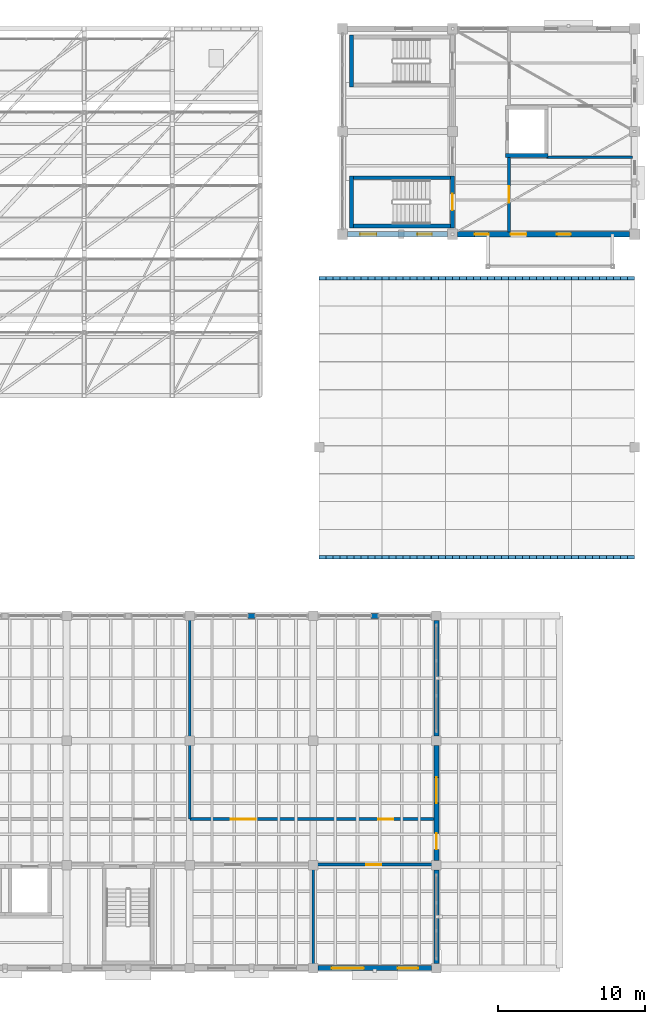
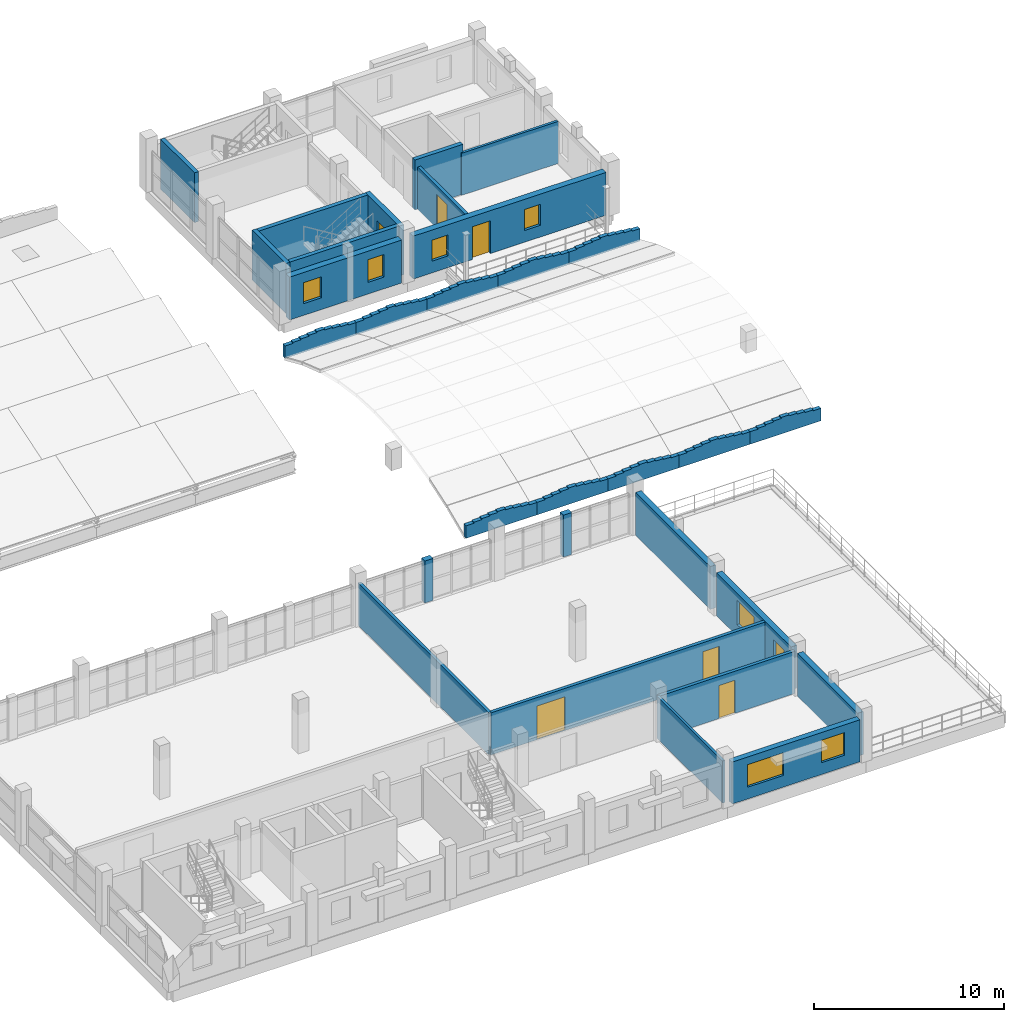
# One storey, part 37 of 48: 30 walls, 7 doors, 7 windows, 14 openings.
"""IFC4 building model written with IfcOpenShell, lengths in metres."""

from ifc_helpers import new_model, si_unit, direction, frame, frame_2d, origin, place, context, subcontext, project, spatial, polyline, rectangle, outline, extrude, material, layer, layer_set, type_object, element, fill, save


model = new_model("IFC4")

# Units and contexts
model_context = context("Model", 3, precision=1e-05, world=origin(), true_north=direction((0.0, 1.0)))
body_context = subcontext(model_context, "Body", "Model", "MODEL_VIEW")
ifc_project = project(units=[si_unit("LENGTHUNIT", "METRE"), si_unit("AREAUNIT", "SQUARE_METRE"), si_unit("VOLUMEUNIT", "CUBIC_METRE"), si_unit("PLANEANGLEUNIT", "RADIAN"), si_unit("MASSUNIT", "GRAM", prefix="KILO")], contexts=[model_context])

# Site, building, storey
site_placement = place(None, origin())
site = spatial("IfcSite", under=ifc_project, at=site_placement, CompositionType="ELEMENT")
building_placement = place(site_placement, origin())
building = spatial("IfcBuilding", under=site, at=building_placement, Name="Trellovar Central Fire Station", CompositionType="ELEMENT")
storey_placement = place(building_placement, frame((0.0, 0.0, 9.300048828125)))
storey = spatial("IfcBuildingStorey", under=building, at=storey_placement, Name="L03", CompositionType="ELEMENT", Elevation=9.300048828125)

# Wall, openings, windows
ifc_material_1 = material(Name="Catalan polychrome brickwork with insulated cavity", Category="masonry")
ifc_layer_1 = layer(ifc_material_1, 0.3798828125)
ifc_layer_set_1 = layer_set([ifc_layer_1], Name="Catalan polychrome brickwork with insulated cavity")
wall_type_1 = type_object("IfcWallType", Name="EW-2", PredefinedType="STANDARD", material=ifc_layer_set_1)
wall_1_placement = place(storey_placement, frame((141.449951171875, 59.0, 0.0), z_axis=(0.0, 0.0, 1.0), x_axis=(1.0, 0.0, 0.0)))
wall_1 = element("IfcWall", 1, at=wall_1_placement, inside=storey, type_object=wall_type_1, Name="V2 L03 south west bay wall", PredefinedType="STANDARD", context=body_context, shape_type="SweptSolid", body=[
    extrude(rectangle(XDim=6.800048828125, YDim=0.3798828125, at=frame_2d((3.39990234375, 0.0))), origin(), (0.0, 0.0, 1.0), 2.75),
])
opening_1_placement = place(wall_1_placement, frame((0.85009765625, 0.0, 0.75)))
opening_1 = element("IfcOpeningElement", 2, at=opening_1_placement, cuts=wall_1, Name="Opening W-17", PredefinedType="OPENING", context=body_context, shape_type="SweptSolid", body=[
    extrude(rectangle(XDim=1.10009765625, YDim=1.35009765625, at=frame_2d((0.550048828125, 0.675048828125))), frame((0.0, 0.199951171875, 0.0), z_axis=(0.0, -1.0, 0.0), x_axis=(1.0, 0.0, 0.0)), (0.0, 0.0, 1.0), 0.39990234375),
])
opening_2_placement = place(wall_1_placement, frame((4.75, 0.0, 0.75)))
opening_2 = element("IfcOpeningElement", 3, at=opening_2_placement, cuts=wall_1, Name="Opening W-20", PredefinedType="OPENING", context=body_context, shape_type="SweptSolid", body=[
    extrude(rectangle(XDim=0.97998046875, YDim=1.449951171875, at=frame_2d((0.489990234375, 0.72509765625))), frame((0.0, 0.199951171875, 0.0), z_axis=(0.0, -1.0, 0.0), x_axis=(1.0, 0.0, 0.0)), (0.0, 0.0, 1.0), 0.39990234375),
])
ifc_material_2 = material(Name="Thermally broken bronze anodized aluminum", Category="aluminium")
window_type_1 = type_object("IfcWindowType", Name="WIN-17", PartitioningType="SINGLE_PANEL", PredefinedType="WINDOW", material=ifc_material_2)
window_1_placement = place(opening_1_placement, origin())
window_1 = element("IfcWindow", 4, at=window_1_placement, inside=storey, type_object=window_type_1, Name="L03 window W-17", OverallHeight=1.35009765625, OverallWidth=1.10009765625, PartitioningType="SINGLE_PANEL", PredefinedType="WINDOW", context=body_context, shape_type="SweptSolid", body=[
    extrude(rectangle(XDim=1.10009765625, YDim=1.35009765625, at=frame_2d((0.550048828125, 0.675048828125))), frame((0.0, 0.030029296875, 0.0), z_axis=(0.0, -1.0, 0.0), x_axis=(1.0, 0.0, 0.0)), (0.0, 0.0, 1.0), 0.06005859375),
])
fill(opening_1, window_1)
ifc_material_3 = material(Name="Thermally broken bronze anodized aluminum", Category="aluminium")
window_type_2 = type_object("IfcWindowType", Name="WIN-20", PartitioningType="SINGLE_PANEL", PredefinedType="WINDOW", material=ifc_material_3)
window_2_placement = place(opening_2_placement, origin())
window_2 = element("IfcWindow", 5, at=window_2_placement, inside=storey, type_object=window_type_2, Name="L03 window W-20", OverallHeight=1.449951171875, OverallWidth=0.97998046875, PartitioningType="SINGLE_PANEL", PredefinedType="WINDOW", context=body_context, shape_type="SweptSolid", body=[
    extrude(rectangle(XDim=0.97998046875, YDim=1.449951171875, at=frame_2d((0.489990234375, 0.72509765625))), frame((0.0, 0.030029296875, 0.0), z_axis=(0.0, -1.0, 0.0), x_axis=(1.0, 0.0, 0.0)), (0.0, 0.0, 1.0), 0.06005859375),
])
fill(opening_2, window_2)

# Wall, openings, door, windows
wall_2_placement = place(storey_placement, frame((148.949951171875, 59.0, 0.0), z_axis=(0.0, 0.0, 1.0), x_axis=(1.0, 0.0, 0.0)))
wall_2 = element("IfcWall", 6, at=wall_2_placement, inside=storey, type_object=wall_type_1, Name="V2 L03 south training deck wall", PredefinedType="STANDARD", context=body_context, shape_type="SweptSolid", body=[
    extrude(rectangle(XDim=11.699951171875, YDim=0.3798828125, at=frame_2d((5.85009765625, 0.0))), origin(), (0.0, 0.0, 1.0), 2.75),
])
opening_3_placement = place(wall_2_placement, frame((3.60009765625, 0.0, 0.0)))
opening_3 = element("IfcOpeningElement", 7, at=opening_3_placement, cuts=wall_2, Name="Opening EX-3", PredefinedType="OPENING", context=body_context, shape_type="SweptSolid", body=[
    extrude(rectangle(XDim=1.080078125, YDim=2.10009765625, at=frame_2d((0.5400390625, 1.050048828125))), frame((0.0, 0.199951171875, 0.0), z_axis=(0.0, -1.0, 0.0), x_axis=(1.0, 0.0, 0.0)), (0.0, 0.0, 1.0), 0.39990234375),
])
opening_4_placement = place(wall_2_placement, frame((1.14990234375, 0.0, 0.75)))
opening_4 = element("IfcOpeningElement", 8, at=opening_4_placement, cuts=wall_2, Name="Opening W-05", PredefinedType="OPENING", context=body_context, shape_type="SweptSolid", body=[
    extrude(rectangle(XDim=0.949951171875, YDim=1.35009765625, at=frame_2d((0.47509765625, 0.675048828125))), frame((0.0, 0.199951171875, 0.0), z_axis=(0.0, -1.0, 0.0), x_axis=(1.0, 0.0, 0.0)), (0.0, 0.0, 1.0), 0.39990234375),
])
opening_5_placement = place(wall_2_placement, frame((6.75, 0.0, 0.75)))
opening_5 = element("IfcOpeningElement", 9, at=opening_5_placement, cuts=wall_2, Name="Opening W-05", PredefinedType="OPENING", context=body_context, shape_type="SweptSolid", body=[
    extrude(rectangle(XDim=0.949951171875, YDim=1.35009765625, at=frame_2d((0.47509765625, 0.675048828125))), frame((0.0, 0.199951171875, 0.0), z_axis=(0.0, -1.0, 0.0), x_axis=(1.0, 0.0, 0.0)), (0.0, 0.0, 1.0), 0.39990234375),
])
ifc_material_4 = material(Name="Thermally broken bronze anodized aluminum", Category="aluminium")
door_type_1 = type_object("IfcDoorType", Name="DR-EXT3", OperationType="SINGLE_SWING_LEFT", PredefinedType="DOOR", material=ifc_material_4)
door_1_placement = place(opening_3_placement, frame((1.080078125, 0.0, 0.0), z_axis=(0.0, 0.0, 1.0), x_axis=(-1.0, 0.0, 0.0)))
door_1 = element("IfcDoor", 10, at=door_1_placement, inside=storey, type_object=door_type_1, Name="V2 L03 rappel training balcony door", OperationType="SINGLE_SWING_LEFT", OverallHeight=2.10009765625, OverallWidth=1.080078125, PredefinedType="DOOR", context=body_context, shape_type="SweptSolid", body=[
    extrude(rectangle(XDim=1.080078125, YDim=2.10009765625, at=frame_2d((0.5400390625, 1.050048828125))), frame((0.0, 0.02490234375, 0.0), z_axis=(0.0, -1.0, 0.0), x_axis=(1.0, 0.0, 0.0)), (0.0, 0.0, 1.0), 0.050048828125),
])
fill(opening_3, door_1)
ifc_material_5 = material(Name="Thermally broken bronze anodized aluminum", Category="aluminium")
window_type_3 = type_object("IfcWindowType", Name="WIN-05", PartitioningType="SINGLE_PANEL", PredefinedType="WINDOW", material=ifc_material_5)
window_3_placement = place(opening_4_placement, origin())
window_3 = element("IfcWindow", 11, at=window_3_placement, inside=storey, type_object=window_type_3, Name="V2 L03 bailout training window W", OverallHeight=1.35009765625, OverallWidth=0.949951171875, PartitioningType="SINGLE_PANEL", PredefinedType="WINDOW", context=body_context, shape_type="SweptSolid", body=[
    extrude(rectangle(XDim=0.949951171875, YDim=1.35009765625, at=frame_2d((0.47509765625, 0.675048828125))), frame((0.0, 0.030029296875, 0.0), z_axis=(0.0, -1.0, 0.0), x_axis=(1.0, 0.0, 0.0)), (0.0, 0.0, 1.0), 0.06005859375),
])
fill(opening_4, window_3)
window_4_placement = place(opening_5_placement, origin())
window_4 = element("IfcWindow", 12, at=window_4_placement, inside=storey, type_object=window_type_3, Name="V2 L03 bailout training window E", OverallHeight=1.35009765625, OverallWidth=0.949951171875, PartitioningType="SINGLE_PANEL", PredefinedType="WINDOW", context=body_context, shape_type="SweptSolid", body=[
    extrude(rectangle(XDim=0.949951171875, YDim=1.35009765625, at=frame_2d((0.47509765625, 0.675048828125))), frame((0.0, 0.030029296875, 0.0), z_axis=(0.0, -1.0, 0.0), x_axis=(1.0, 0.0, 0.0)), (0.0, 0.0, 1.0), 0.06005859375),
])
fill(opening_5, window_4)

# Wall, openings, windows
ifc_material_6 = material(Name="Textured desert sandstone masonry", Category="masonry")
ifc_layer_2 = layer(ifc_material_6, 0.340087890625)
ifc_layer_set_2 = layer_set([ifc_layer_2], Name="Textured desert sandstone masonry")
wall_type_2 = type_object("IfcWallType", Name="EW-3", PredefinedType="STANDARD", material=ifc_layer_set_2)
wall_3_placement = place(storey_placement, frame((139.425048828125, 9.0, 0.0), z_axis=(0.0, 0.0, 1.0), x_axis=(1.0, 0.0, 0.0)))
wall_3 = element("IfcWall", 13, at=wall_3_placement, inside=storey, type_object=wall_type_2, Name="V5 L03 south wall 5", PredefinedType="STANDARD", context=body_context, shape_type="SweptSolid", body=[
    extrude(rectangle(XDim=7.75, YDim=0.340087890625, at=frame_2d((3.875, 0.0))), origin(), (0.0, 0.0, 1.0), 2.68994140625),
])
opening_6_placement = place(wall_3_placement, frame((0.925048828125, 0.0, 0.75)))
opening_6 = element("IfcOpeningElement", 14, at=opening_6_placement, cuts=wall_3, Name="Opening W-06", PredefinedType="OPENING", context=body_context, shape_type="SweptSolid", body=[
    extrude(rectangle(XDim=2.199951171875, YDim=1.449951171875, at=frame_2d((1.10009765625, 0.72509765625))), frame((0.0, 0.179931640625, 0.0), z_axis=(0.0, -1.0, 0.0), x_axis=(1.0, 0.0, 0.0)), (0.0, 0.0, 1.0), 0.360107421875),
])
opening_7_placement = place(wall_3_placement, frame((5.425048828125, 0.0, 0.75)))
opening_7 = element("IfcOpeningElement", 15, at=opening_7_placement, cuts=wall_3, Name="Opening W-22", PredefinedType="OPENING", context=body_context, shape_type="SweptSolid", body=[
    extrude(rectangle(XDim=1.39990234375, YDim=1.449951171875, at=frame_2d((0.699951171875, 0.72509765625))), frame((0.0, 0.179931640625, 0.0), z_axis=(0.0, -1.0, 0.0), x_axis=(1.0, 0.0, 0.0)), (0.0, 0.0, 1.0), 0.360107421875),
])
ifc_material_7 = material(Name="Thermally broken bronze anodized aluminum", Category="aluminium")
window_type_4 = type_object("IfcWindowType", Name="WIN-06", PartitioningType="TRIPLE_PANEL_VERTICAL", PredefinedType="WINDOW", material=ifc_material_7)
window_5_placement = place(opening_6_placement, origin())
window_5 = element("IfcWindow", 16, at=window_5_placement, inside=storey, type_object=window_type_4, Name="L03 window W-06", OverallHeight=1.449951171875, OverallWidth=2.199951171875, PartitioningType="TRIPLE_PANEL_VERTICAL", PredefinedType="WINDOW", context=body_context, shape_type="SweptSolid", body=[
    extrude(rectangle(XDim=2.199951171875, YDim=1.449951171875, at=frame_2d((1.10009765625, 0.72509765625))), frame((0.0, 0.030029296875, 0.0), z_axis=(0.0, -1.0, 0.0), x_axis=(1.0, 0.0, 0.0)), (0.0, 0.0, 1.0), 0.06005859375),
])
fill(opening_6, window_5)
ifc_material_8 = material(Name="Thermally broken bronze anodized aluminum", Category="aluminium")
window_type_5 = type_object("IfcWindowType", Name="WIN-22", PartitioningType="DOUBLE_PANEL_VERTICAL", PredefinedType="WINDOW", material=ifc_material_8)
window_6_placement = place(opening_7_placement, origin())
window_6 = element("IfcWindow", 17, at=window_6_placement, inside=storey, type_object=window_type_5, Name="L03 window W-22", OverallHeight=1.449951171875, OverallWidth=1.39990234375, PartitioningType="DOUBLE_PANEL_VERTICAL", PredefinedType="WINDOW", context=body_context, shape_type="SweptSolid", body=[
    extrude(rectangle(XDim=1.39990234375, YDim=1.449951171875, at=frame_2d((0.699951171875, 0.72509765625))), frame((0.0, 0.030029296875, 0.0), z_axis=(0.0, -1.0, 0.0), x_axis=(1.0, 0.0, 0.0)), (0.0, 0.0, 1.0), 0.06005859375),
])
fill(opening_7, window_6)

# Walls
for number, where, z_axis, x_axis, name in (
    (18, (135.14990234375, 33.0, 0.0), (0.0, 0.0, 1.0), (-1.0, 0.0, 0.0), "V5 L03 north mullion pier"),
    (19, (143.550048828125, 33.0, 0.0), (0.0, 0.0, 1.0), (-1.0, 0.0, 0.0), "V5 L03 north mullion pier"),
):
    element("IfcWall", number, at=place(storey_placement, frame(where, z_axis=z_axis, x_axis=x_axis)), inside=storey, type_object=wall_type_2, Name=name, PredefinedType="STANDARD", context=body_context, shape_type="SweptSolid", body=[
        extrude(rectangle(XDim=0.5, YDim=0.340087890625, at=frame_2d((0.25, 0.0))), origin(), (0.0, 0.0, 1.0), 2.68994140625),
    ])
wall_4_placement = place(storey_placement, frame((147.5, 9.324951171875, 0.0), z_axis=(0.0, 0.0, 1.0), x_axis=(0.0, 1.0, 0.0)))
element("IfcWall", 20, at=wall_4_placement, inside=storey, type_object=wall_type_2, Name="V5 L03 east stepback wall", PredefinedType="STANDARD", context=body_context, shape_type="SweptSolid", body=[
    extrude(rectangle(XDim=6.35009765625, YDim=0.340087890625, at=frame_2d((3.175048828125, 0.0))), origin(), (0.0, 0.0, 1.0), 2.75),
])

# Wall, openings, door, window
wall_5_placement = place(storey_placement, frame((147.5, 16.324951171875, 0.0), z_axis=(0.0, 0.0, 1.0), x_axis=(0.0, 1.0, 0.0)))
wall_5 = element("IfcWall", 21, at=wall_5_placement, inside=storey, type_object=wall_type_2, Name="V5 L03 east stepback wall", PredefinedType="STANDARD", context=body_context, shape_type="SweptSolid", body=[
    extrude(rectangle(XDim=7.85009765625, YDim=0.340087890625, at=frame_2d((3.925048828125, 0.0))), origin(), (0.0, 0.0, 1.0), 2.75),
])
opening_8_placement = place(wall_5_placement, frame((0.77490234375, 0.0, 0.0)))
opening_8 = element("IfcOpeningElement", 22, at=opening_8_placement, cuts=wall_5, Name="Opening EX-3", PredefinedType="OPENING", context=body_context, shape_type="SweptSolid", body=[
    extrude(rectangle(XDim=1.080078125, YDim=2.10009765625, at=frame_2d((0.5400390625, 1.050048828125))), frame((0.0, 0.179931640625, 0.0), z_axis=(0.0, -1.0, 0.0), x_axis=(1.0, 0.0, 0.0)), (0.0, 0.0, 1.0), 0.360107421875),
])
opening_9_placement = place(wall_5_placement, frame((3.925048828125, 0.0, 0.75)))
opening_9 = element("IfcOpeningElement", 23, at=opening_9_placement, cuts=wall_5, Name="Opening W-03", PredefinedType="OPENING", context=body_context, shape_type="SweptSolid", body=[
    extrude(rectangle(XDim=1.75, YDim=1.550048828125, at=frame_2d((0.875, 0.77490234375))), frame((0.0, 0.179931640625, 0.0), z_axis=(0.0, -1.0, 0.0), x_axis=(1.0, 0.0, 0.0)), (0.0, 0.0, 1.0), 0.360107421875),
])
door_2_placement = place(opening_8_placement, frame((1.080078125, 0.0, 0.0), z_axis=(0.0, 0.0, 1.0), x_axis=(-1.0, 0.0, 0.0)))
door_2 = element("IfcDoor", 24, at=door_2_placement, inside=storey, type_object=door_type_1, Name="V5 L03 east roof terrace access door", OperationType="SINGLE_SWING_LEFT", OverallHeight=2.10009765625, OverallWidth=1.080078125, PredefinedType="DOOR", context=body_context, shape_type="SweptSolid", body=[
    extrude(rectangle(XDim=1.080078125, YDim=2.10009765625, at=frame_2d((0.5400390625, 1.050048828125))), frame((0.0, 0.02490234375, 0.0), z_axis=(0.0, -1.0, 0.0), x_axis=(1.0, 0.0, 0.0)), (0.0, 0.0, 1.0), 0.050048828125),
])
fill(opening_8, door_2)
ifc_material_9 = material(Name="Thermally broken bronze anodized aluminum", Category="aluminium")
window_type_6 = type_object("IfcWindowType", Name="WIN-03", PartitioningType="DOUBLE_PANEL_VERTICAL", PredefinedType="WINDOW", material=ifc_material_9)
window_7_placement = place(opening_9_placement, origin())
window_7 = element("IfcWindow", 25, at=window_7_placement, inside=storey, type_object=window_type_6, Name="L03 window W-03", OverallHeight=1.550048828125, OverallWidth=1.75, PartitioningType="DOUBLE_PANEL_VERTICAL", PredefinedType="WINDOW", context=body_context, shape_type="SweptSolid", body=[
    extrude(rectangle(XDim=1.75, YDim=1.550048828125, at=frame_2d((0.875, 0.77490234375))), frame((0.0, 0.030029296875, 0.0), z_axis=(0.0, -1.0, 0.0), x_axis=(1.0, 0.0, 0.0)), (0.0, 0.0, 1.0), 0.06005859375),
])
fill(opening_9, window_7)

# Walls
wall_6_placement = place(storey_placement, frame((147.5, 24.824951171875, 0.0), z_axis=(0.0, 0.0, 1.0), x_axis=(0.0, 1.0, 0.0)))
element("IfcWall", 26, at=wall_6_placement, inside=storey, type_object=wall_type_2, Name="V5 L03 east stepback wall", PredefinedType="STANDARD", context=body_context, shape_type="SweptSolid", body=[
    extrude(rectangle(XDim=7.85009765625, YDim=0.340087890625, at=frame_2d((3.925048828125, 0.0))), origin(), (0.0, 0.0, 1.0), 2.75),
])
ifc_material_10 = material(Name="Glazed ceramic trencadis and terracotta panel", Category="masonry")
ifc_layer_3 = layer(ifc_material_10, 0.239990234375)
ifc_layer_set_3 = layer_set([ifc_layer_3], Name="Glazed ceramic trencadis and terracotta panel")
wall_type_3 = type_object("IfcWallType", Name="PAR-2", PredefinedType="PARAPET", material=ifc_layer_set_3)
for number, where, z_axis, x_axis, name in (
    (27, (139.5, 37.0, 0.0), (0.0, 0.0, 1.0), (1.0, 0.0, 0.0), "L03 Catalan stepped parapet"),
    (28, (139.5, 56.0, 0.0), (0.0, 0.0, 1.0), (1.0, 0.0, 0.0), "L03 Catalan stepped parapet"),
    (29, (143.800048828125, 37.0, 0.0), (0.0, 0.0, 1.0), (1.0, 0.0, 0.0), "L03 Catalan stepped parapet"),
    (30, (143.800048828125, 56.0, 0.0), (0.0, 0.0, 1.0), (1.0, 0.0, 0.0), "L03 Catalan stepped parapet"),
):
    element("IfcWall", number, at=place(storey_placement, frame(where, z_axis=z_axis, x_axis=x_axis)), inside=storey, type_object=wall_type_3, Name=name, PredefinedType="PARAPET", context=body_context, shape_type="SweptSolid", body=[
        extrude(outline(polyline([(0.0, 0.0), (4.300048828125, 0.0), (4.300048828125, 0.800048828125), (3.8232421875, 0.800048828125), (3.822265625, 0.862548828125), (3.345458984375, 0.862548828125), (3.344482421875, 0.925048828125), (2.86767578125, 0.925048828125), (2.86669921875, 0.987548828125), (2.389892578125, 0.987548828125), (2.388916015625, 1.050048828125), (1.912109375, 1.050048828125), (1.9111328125, 0.987548828125), (1.434326171875, 0.987548828125), (1.433349609375, 0.925048828125), (0.95654296875, 0.925048828125), (0.95556640625, 0.862548828125), (0.478759765625, 0.862548828125), (0.477783203125, 0.800048828125), (0.0, 0.800048828125), (0.0, 0.0)])), frame((0.0, 0.1201171875, 0.0), z_axis=(0.0, -1.0, 0.0), x_axis=(1.0, 0.0, 0.0)), (0.0, 0.0, 1.0), 0.239990234375),
    ])
for number, where, z_axis, x_axis, name in (
    (31, (148.10009765625, 37.0, 0.0), (0.0, 0.0, 1.0), (1.0, 0.0, 0.0), "L03 Catalan stepped parapet"),
    (32, (148.10009765625, 56.0, 0.0), (0.0, 0.0, 1.0), (1.0, 0.0, 0.0), "L03 Catalan stepped parapet"),
):
    element("IfcWall", number, at=place(storey_placement, frame(where, z_axis=z_axis, x_axis=x_axis)), inside=storey, type_object=wall_type_3, Name=name, PredefinedType="PARAPET", context=body_context, shape_type="SweptSolid", body=[
        extrude(outline(polyline([(0.0, 0.0), (4.2998046875, 0.0), (4.300048828125, 0.800048828125), (3.8232421875, 0.800048828125), (3.822265625, 0.862548828125), (3.345458984375, 0.862548828125), (3.344482421875, 0.925048828125), (2.86767578125, 0.925048828125), (2.86669921875, 0.987548828125), (2.389892578125, 0.987548828125), (2.388916015625, 1.050048828125), (1.912109375, 1.050048828125), (1.9111328125, 0.987548828125), (1.434326171875, 0.987548828125), (1.433349609375, 0.925048828125), (0.95654296875, 0.925048828125), (0.95556640625, 0.862548828125), (0.478759765625, 0.862548828125), (0.477783203125, 0.800048828125), (0.0, 0.800048828125), (0.0, 0.0)])), frame((0.0, 0.1201171875, 0.0), z_axis=(0.0, -1.0, 0.0), x_axis=(1.0, 0.0, 0.0)), (0.0, 0.0, 1.0), 0.239990234375),
    ])
for number, where, z_axis, x_axis, name in (
    (33, (152.39990234375, 37.0, 0.0), (0.0, 0.0, 1.0), (1.0, 0.0, 0.0), "L03 Catalan stepped parapet"),
    (34, (152.39990234375, 56.0, 0.0), (0.0, 0.0, 1.0), (1.0, 0.0, 0.0), "L03 Catalan stepped parapet"),
    (35, (156.699951171875, 37.0, 0.0), (0.0, 0.0, 1.0), (1.0, 0.0, 0.0), "L03 Catalan stepped parapet"),
    (36, (156.699951171875, 56.0, 0.0), (0.0, 0.0, 1.0), (1.0, 0.0, 0.0), "L03 Catalan stepped parapet"),
):
    element("IfcWall", number, at=place(storey_placement, frame(where, z_axis=z_axis, x_axis=x_axis)), inside=storey, type_object=wall_type_3, Name=name, PredefinedType="PARAPET", context=body_context, shape_type="SweptSolid", body=[
        extrude(outline(polyline([(0.0, 0.0), (4.300048828125, 0.0), (4.300048828125, 0.800048828125), (3.8232421875, 0.800048828125), (3.822265625, 0.862548828125), (3.345458984375, 0.862548828125), (3.344482421875, 0.925048828125), (2.86767578125, 0.925048828125), (2.86669921875, 0.987548828125), (2.389892578125, 0.987548828125), (2.388916015625, 1.050048828125), (1.912109375, 1.050048828125), (1.9111328125, 0.987548828125), (1.434326171875, 0.987548828125), (1.433349609375, 0.925048828125), (0.95654296875, 0.925048828125), (0.95556640625, 0.862548828125), (0.478759765625, 0.862548828125), (0.477783203125, 0.800048828125), (0.0, 0.800048828125), (0.0, 0.0)])), frame((0.0, 0.1201171875, 0.0), z_axis=(0.0, -1.0, 0.0), x_axis=(1.0, 0.0, 0.0)), (0.0, 0.0, 1.0), 0.239990234375),
    ])

# Wall, opening, door
ifc_material_11 = material(Name="Acoustic concrete masonry unit", Category="masonry")
ifc_layer_4 = layer(ifc_material_11, 0.199951171875)
ifc_layer_set_4 = layer_set([ifc_layer_4], Name="Acoustic concrete masonry unit")
wall_type_4 = type_object("IfcWallType", Name="PT-1", PredefinedType="PARTITIONING", material=ifc_layer_set_4)
wall_7_placement = place(storey_placement, frame((139.10009765625, 16.050048828125, 0.0), z_axis=(0.0, 0.0, 1.0), x_axis=(1.0, 0.0, 0.0)))
wall_7 = element("IfcWall", 37, at=wall_7_placement, inside=storey, type_object=wall_type_4, Name="V5 L03 south corridor spine", PredefinedType="PARTITIONING", context=body_context, shape_type="SweptSolid", body=[
    extrude(rectangle(XDim=8.25, YDim=0.199951171875, at=frame_2d((4.125, 0.0))), origin(), (0.0, 0.0, 1.0), 2.699951171875),
])
opening_10_placement = place(wall_7_placement, frame((3.625, 0.0, 0.0)))
opening_10 = element("IfcOpeningElement", 38, at=opening_10_placement, cuts=wall_7, Name="Opening ID-1", PredefinedType="OPENING", context=body_context, shape_type="SweptSolid", body=[
    extrude(rectangle(XDim=1.0, YDim=2.1201171875, at=frame_2d((0.5, 1.06005859375))), frame((0.0, 0.10986328125, 0.0), z_axis=(0.0, -1.0, 0.0), x_axis=(1.0, 0.0, 0.0)), (0.0, 0.0, 1.0), 0.219970703125),
])
ifc_material_12 = material(Name="Solid core acoustic white oak veneer", Category="wood")
door_type_2 = type_object("IfcDoorType", Name="DR-INT1", OperationType="SINGLE_SWING_LEFT", PredefinedType="DOOR", material=ifc_material_12)
door_3_placement = place(opening_10_placement, origin())
door_3 = element("IfcDoor", 39, at=door_3_placement, inside=storey, type_object=door_type_2, Name="V5 L03 south bay door", OperationType="SINGLE_SWING_RIGHT", OverallHeight=2.1201171875, OverallWidth=1.0, PredefinedType="DOOR", context=body_context, shape_type="SweptSolid", body=[
    extrude(rectangle(XDim=1.0, YDim=2.1201171875, at=frame_2d((0.5, 1.06005859375))), frame((0.0, 0.02490234375, 0.0), z_axis=(0.0, -1.0, 0.0), x_axis=(1.0, 0.0, 0.0)), (0.0, 0.0, 1.0), 0.050048828125),
])
fill(opening_10, door_3)

# Wall, openings, doors
wall_8_placement = place(storey_placement, frame((130.699951171875, 19.14990234375, 0.0), z_axis=(0.0, 0.0, 1.0), x_axis=(1.0, 0.0, 0.0)))
wall_8 = element("IfcWall", 40, at=wall_8_placement, inside=storey, type_object=wall_type_4, Name="V5 L03 north corridor spine", PredefinedType="PARTITIONING", context=body_context, shape_type="SweptSolid", body=[
    extrude(rectangle(XDim=16.650146484375, YDim=0.199951171875, at=frame_2d((8.3251953125, 0.0))), origin(), (0.0, 0.0, 1.0), 2.699951171875),
])
opening_11_placement = place(wall_8_placement, frame((2.800048828125, 0.0, 0.0)))
opening_11 = element("IfcOpeningElement", 41, at=opening_11_placement, cuts=wall_8, Name="Opening ID-10", PredefinedType="OPENING", context=body_context, shape_type="SweptSolid", body=[
    extrude(rectangle(XDim=1.699951171875, YDim=2.159912109375, at=frame_2d((0.85009765625, 1.080078125))), frame((0.0, 0.10986328125, 0.0), z_axis=(0.0, -1.0, 0.0), x_axis=(1.0, 0.0, 0.0)), (0.0, 0.0, 1.0), 0.219970703125),
])
opening_12_placement = place(wall_8_placement, frame((12.85009765625, 0.0, 0.0)))
opening_12 = element("IfcOpeningElement", 42, at=opening_12_placement, cuts=wall_8, Name="Opening ID-1", PredefinedType="OPENING", context=body_context, shape_type="SweptSolid", body=[
    extrude(rectangle(XDim=1.0, YDim=2.1201171875, at=frame_2d((0.5, 1.06005859375))), frame((0.0, 0.10986328125, 0.0), z_axis=(0.0, -1.0, 0.0), x_axis=(1.0, 0.0, 0.0)), (0.0, 0.0, 1.0), 0.219970703125),
])
door_4_placement = place(opening_12_placement, origin())
door_4 = element("IfcDoor", 43, at=door_4_placement, inside=storey, type_object=door_type_2, Name="V5 L03 north secondary egress door", OperationType="SINGLE_SWING_RIGHT", OverallHeight=2.1201171875, OverallWidth=1.0, PredefinedType="DOOR", context=body_context, shape_type="SweptSolid", body=[
    extrude(rectangle(XDim=1.0, YDim=2.1201171875, at=frame_2d((0.5, 1.06005859375))), frame((0.0, 0.02490234375, 0.0), z_axis=(0.0, -1.0, 0.0), x_axis=(1.0, 0.0, 0.0)), (0.0, 0.0, 1.0), 0.050048828125),
])
fill(opening_12, door_4)
ifc_material_13 = material(Name="Hollow galvanized steel with acoustic core", Category="steel")
door_type_3 = type_object("IfcDoorType", Name="DR-INT10", OperationType="DOUBLE_DOOR_SINGLE_SWING", PredefinedType="DOOR", material=ifc_material_13)
door_5_placement = place(opening_11_placement, origin())
door_5 = element("IfcDoor", 44, at=door_5_placement, inside=storey, type_object=door_type_3, Name="V5 L03 north hall door", OperationType="DOUBLE_DOOR_SINGLE_SWING", OverallHeight=2.159912109375, OverallWidth=1.699951171875, PredefinedType="DOOR", context=body_context, shape_type="SweptSolid", body=[
    extrude(rectangle(XDim=1.699951171875, YDim=2.159912109375, at=frame_2d((0.85009765625, 1.080078125))), frame((0.0, 0.02490234375, 0.0), z_axis=(0.0, -1.0, 0.0), x_axis=(1.0, 0.0, 0.0)), (0.0, 0.0, 1.0), 0.050048828125),
])
fill(opening_11, door_5)

# Wall, opening, door
wall_9_placement = place(storey_placement, frame((152.449951171875, 59.14990234375, 0.0), z_axis=(0.0, 0.0, 1.0), x_axis=(0.0, 1.0, 0.0)))
wall_9 = element("IfcWall", 45, at=wall_9_placement, inside=storey, type_object=wall_type_4, Name="V2 L03 south deck corridor wall", PredefinedType="PARTITIONING", context=body_context, shape_type="SweptSolid", body=[
    extrude(rectangle(XDim=5.22021484375, YDim=0.199951171875, at=frame_2d((2.610107421875, 0.0))), origin(), (0.0, 0.0, 1.0), 2.699951171875),
])
opening_13_placement = place(wall_9_placement, frame((2.0, 0.0, 0.0)))
opening_13 = element("IfcOpeningElement", 46, at=opening_13_placement, cuts=wall_9, Name="Opening ID-12", PredefinedType="OPENING", context=body_context, shape_type="SweptSolid", body=[
    extrude(rectangle(XDim=1.1201171875, YDim=2.14990234375, at=frame_2d((0.56005859375, 1.074951171875))), frame((0.0, 0.10986328125, 0.0), z_axis=(0.0, -1.0, 0.0), x_axis=(1.0, 0.0, 0.0)), (0.0, 0.0, 1.0), 0.219970703125),
])
ifc_material_14 = material(Name="Hollow galvanized steel with acoustic core", Category="steel")
door_type_4 = type_object("IfcDoorType", Name="DR-INT12", OperationType="SINGLE_SWING_LEFT", PredefinedType="DOOR", material=ifc_material_14)
door_6_placement = place(opening_13_placement, origin())
door_6 = element("IfcDoor", 47, at=door_6_placement, inside=storey, type_object=door_type_4, Name="V2 L03 south training deck door", OperationType="SINGLE_SWING_RIGHT", OverallHeight=2.14990234375, OverallWidth=1.1201171875, PredefinedType="DOOR", context=body_context, shape_type="SweptSolid", body=[
    extrude(rectangle(XDim=1.1201171875, YDim=2.14990234375, at=frame_2d((0.56005859375, 1.074951171875))), frame((0.0, 0.02490234375, 0.0), z_axis=(0.0, -1.0, 0.0), x_axis=(1.0, 0.0, 0.0)), (0.0, 0.0, 1.0), 0.050048828125),
])
fill(opening_13, door_6)

# Walls
ifc_material_15 = material(Name="Acoustic concrete masonry unit", Category="masonry")
ifc_layer_5 = layer(ifc_material_15, 0.179931640625)
ifc_layer_set_5 = layer_set([ifc_layer_5], Name="Acoustic concrete masonry unit")
wall_type_5 = type_object("IfcWallType", Name="PT-5", PredefinedType="PARTITIONING", material=ifc_layer_set_5)
wall_10_placement = place(storey_placement, frame((130.699951171875, 19.14990234375, 0.0), z_axis=(0.0, 0.0, 1.0), x_axis=(0.0, 1.0, 0.0)))
element("IfcWall", 48, at=wall_10_placement, inside=storey, type_object=wall_type_5, Name="V5 L03 north bay divider X=130.7", PredefinedType="PARTITIONING", context=body_context, shape_type="SweptSolid", body=[
    extrude(rectangle(XDim=13.7001953125, YDim=0.179931640625, at=frame_2d((6.85009765625, 0.0))), origin(), (0.0, 0.0, 1.0), 2.699951171875),
])
ifc_material_16 = material(Name="Fire-rated acoustic gypsum stud partition", Category="gypsum")
ifc_layer_6 = layer(ifc_material_16, 0.14990234375)
ifc_layer_set_6 = layer_set([ifc_layer_6], Name="Fire-rated acoustic gypsum stud partition")
wall_type_6 = type_object("IfcWallType", Name="PT-6", PredefinedType="PARTITIONING", material=ifc_layer_set_6)
wall_11_placement = place(storey_placement, frame((139.10009765625, 9.14990234375, 0.0), z_axis=(0.0, 0.0, 1.0), x_axis=(0.0, 1.0, 0.0)))
element("IfcWall", 49, at=wall_11_placement, inside=storey, type_object=wall_type_6, Name="V5 L03 south room divider X=139.10", PredefinedType="PARTITIONING", context=body_context, shape_type="SweptSolid", body=[
    extrude(rectangle(XDim=6.900146484375, YDim=0.14990234375, at=frame_2d((3.4501953125, 0.0))), origin(), (0.0, 0.0, 1.0), 2.699951171875),
])
wall_12_placement = place(storey_placement, frame((154.97998046875, 64.25, 0.0), z_axis=(0.0, 0.0, 1.0), x_axis=(1.0, 0.0, 0.0)))
element("IfcWall", 50, at=wall_12_placement, inside=storey, type_object=wall_type_6, Name="V2 L03 restroom south wall", PredefinedType="PARTITIONING", context=body_context, shape_type="SweptSolid", body=[
    extrude(rectangle(XDim=5.8701171875, YDim=0.14990234375, at=frame_2d((2.93505859375, 0.0))), origin(), (0.0, 0.0, 1.0), 2.699951171875),
])

# Wall, opening, door
ifc_material_17 = material(Name="Concrete C40/50", Category="concrete")
ifc_layer_7 = layer(ifc_material_17, 0.280029296875)
ifc_layer_set_7 = layer_set([ifc_layer_7], Name="Concrete C40/50")
wall_type_7 = type_object("IfcWallType", Name="SW-1", PredefinedType="SHEAR", material=ifc_layer_set_7)
wall_13_placement = place(storey_placement, frame((148.590087890625, 62.97998046875, 0.0), z_axis=(0.0, 0.0, 1.0), x_axis=(0.0, -1.0, 0.0)))
wall_13 = element("IfcWall", 51, at=wall_13_placement, inside=storey, type_object=wall_type_7, Name="Stair ST-05 L03 front corridor wall", PredefinedType="SHEAR", context=body_context, shape_type="SweptSolid", body=[
    extrude(rectangle(XDim=3.56005859375, YDim=0.280029296875, at=frame_2d((1.780029296875, 0.0))), origin(), (0.0, 0.0, 1.0), 3.199951171875),
])
opening_14_placement = place(wall_13_placement, frame((1.22998046875, 0.0, 0.0)))
opening_14 = element("IfcOpeningElement", 52, at=opening_14_placement, cuts=wall_13, Name="Opening SD-2", PredefinedType="OPENING", context=body_context, shape_type="SweptSolid", body=[
    extrude(rectangle(XDim=1.10009765625, YDim=2.14990234375, at=frame_2d((0.550048828125, 1.074951171875))), frame((0.0, 0.14990234375, 0.0), z_axis=(0.0, -1.0, 0.0), x_axis=(1.0, 0.0, 0.0)), (0.0, 0.0, 1.0), 0.300048828125),
])
ifc_material_18 = material(Name="Hollow galvanized steel with acoustic core", Category="steel")
door_type_5 = type_object("IfcDoorType", Name="DR-STR2", OperationType="SINGLE_SWING_LEFT", PredefinedType="DOOR", material=ifc_material_18)
door_7_placement = place(opening_14_placement, origin())
door_7 = element("IfcDoor", 53, at=door_7_placement, inside=storey, type_object=door_type_5, Name="Stair ST-05 L03 fire door", OperationType="SINGLE_SWING_LEFT", OverallHeight=2.14990234375, OverallWidth=1.10009765625, PredefinedType="DOOR", context=body_context, shape_type="SweptSolid", body=[
    extrude(rectangle(XDim=1.10009765625, YDim=2.14990234375, at=frame_2d((0.550048828125, 1.074951171875))), frame((0.0, 0.02490234375, 0.0), z_axis=(0.0, -1.0, 0.0), x_axis=(1.0, 0.0, 0.0)), (0.0, 0.0, 1.0), 0.050048828125),
])
fill(opening_14, door_7)

# Walls
ifc_material_19 = material(Name="Concrete C40/50", Category="concrete")
ifc_layer_8 = layer(ifc_material_19, 0.25)
ifc_layer_set_8 = layer_set([ifc_layer_8], Name="Concrete C40/50")
wall_type_8 = type_object("IfcWallType", Name="SW-2", PredefinedType="SHEAR", material=ifc_layer_set_8)
wall_14_placement = place(storey_placement, frame((141.7099609375, 59.419921875, 0.0), z_axis=(0.0, 0.0, 1.0), x_axis=(0.0, 1.0, 0.0)))
element("IfcWall", 54, at=wall_14_placement, inside=storey, type_object=wall_type_8, Name="Stair ST-05 L03 rear wall", PredefinedType="SHEAR", context=body_context, shape_type="SweptSolid", body=[
    extrude(rectangle(XDim=3.56005859375, YDim=0.25, at=frame_2d((1.780029296875, 0.0))), origin(), (0.0, 0.0, 1.0), 3.199951171875),
])
for number, where, z_axis, x_axis, name in (
    (55, (148.449951171875, 62.840087890625, 0.0), (0.0, 0.0, 1.0), (-1.0, 0.0, 0.0), "Stair ST-05 L03 left wall"),
    (56, (141.85009765625, 59.56005859375, 0.0), (0.0, 0.0, 1.0), (1.0, 0.0, 0.0), "Stair ST-05 L03 right wall"),
):
    element("IfcWall", number, at=place(storey_placement, frame(where, z_axis=z_axis, x_axis=x_axis)), inside=storey, type_object=wall_type_8, Name=name, PredefinedType="SHEAR", context=body_context, shape_type="SweptSolid", body=[
        extrude(rectangle(XDim=6.599853515625, YDim=0.25, at=frame_2d((3.2998046875, 0.0))), origin(), (0.0, 0.0, 1.0), 3.199951171875),
    ])
wall_15_placement = place(storey_placement, frame((141.7099609375, 69.02001953125, 0.0), z_axis=(0.0, 0.0, 1.0), x_axis=(0.0, 1.0, 0.0)))
element("IfcWall", 57, at=wall_15_placement, inside=storey, type_object=wall_type_8, Name="Stair ST-06 L03 rear wall", PredefinedType="SHEAR", context=body_context, shape_type="SweptSolid", body=[
    extrude(rectangle(XDim=3.56005859375, YDim=0.25, at=frame_2d((1.780029296875, 0.0))), origin(), (0.0, 0.0, 1.0), 3.199951171875),
])
ifc_material_20 = material(Name="Concrete C40/50", Category="concrete")
ifc_layer_9 = layer(ifc_material_20, 0.260009765625)
ifc_layer_set_9 = layer_set([ifc_layer_9], Name="Concrete C40/50")
wall_type_9 = type_object("IfcWallType", Name="SW-4", PredefinedType="SHEAR", material=ifc_layer_set_9)
wall_16_placement = place(storey_placement, frame((152.18994140625, 64.3701171875, 0.0), z_axis=(0.0, 0.0, 1.0), x_axis=(1.0, 0.0, 0.0)))
element("IfcWall", 58, at=wall_16_placement, inside=storey, type_object=wall_type_9, Name="Lift EL-04 L03 S wall", PredefinedType="SHEAR", context=body_context, shape_type="SweptSolid", body=[
    extrude(rectangle(XDim=2.920166015625, YDim=0.260009765625, at=frame_2d((1.4599609375, 0.0))), origin(), (0.0, 0.0, 1.0), 3.199951171875),
])

save(model, "model.ifc")
